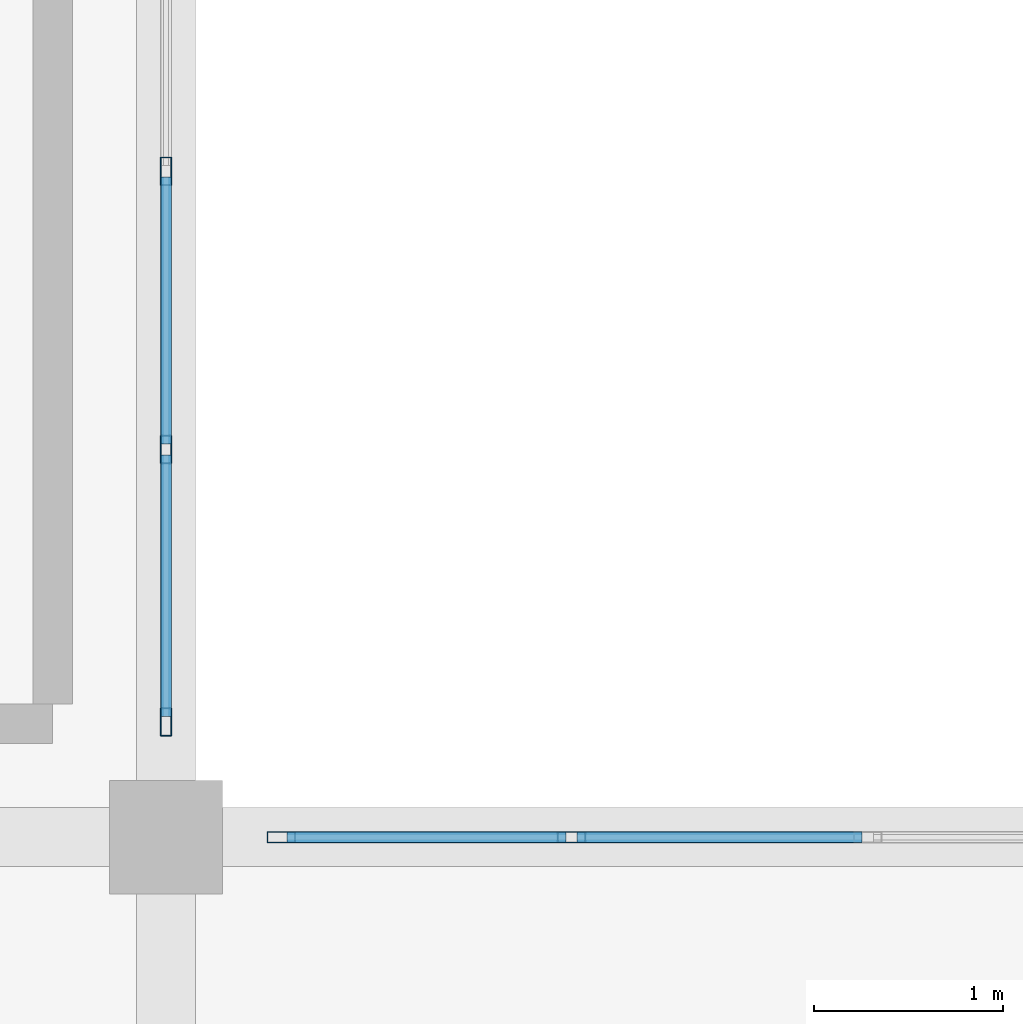
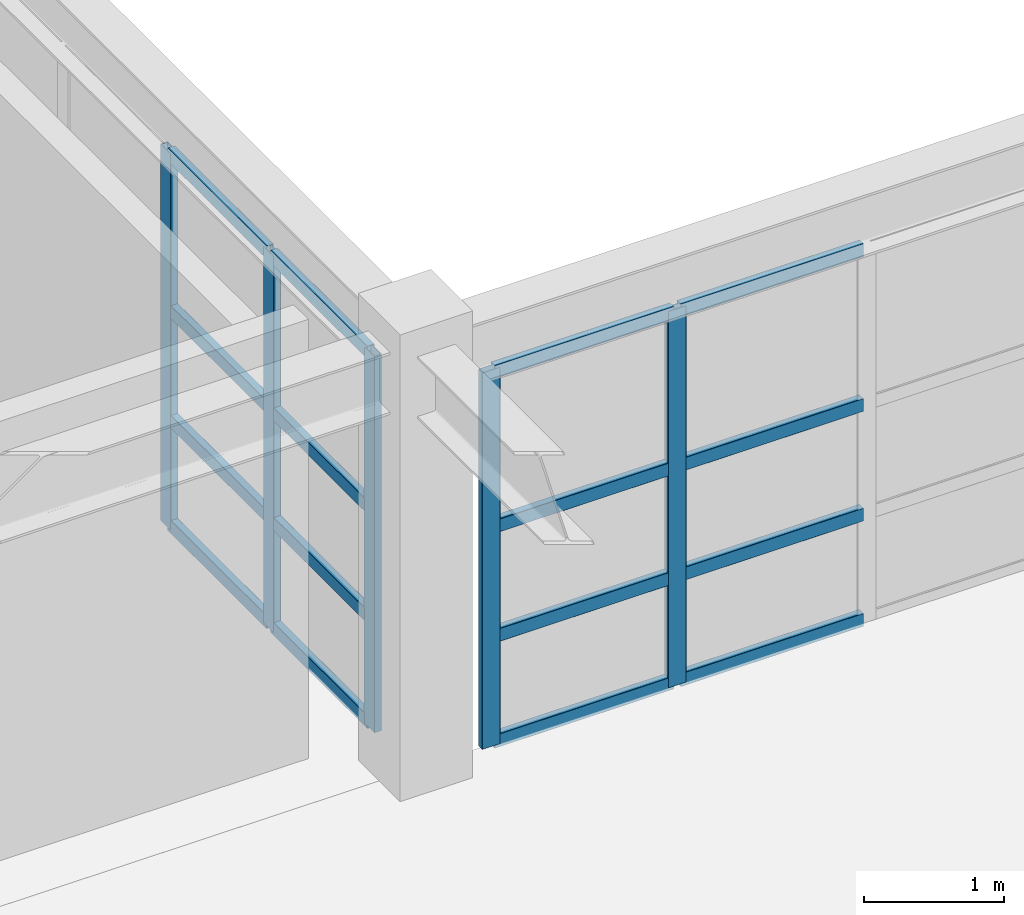
# One storey, part 51 of 110: 21 members, 2 elements without a shape of their own.
"""IFC4 building model written with IfcOpenShell, lengths in metres."""

from ifc_helpers import new_model, si_unit, direction, frame, origin, origin_2d, place, context, subcontext, project, spatial, hollow_rectangle, extrude, material, material_profile, profile_set, type_object, element, aggregate, save


model = new_model("IFC4")

# Units and contexts
model_context = context("Model", 3, precision=1e-05, world=origin(), true_north=direction((0.0, 1.0)))
body_context = subcontext(model_context, "Body", "Model", "MODEL_VIEW")
ifc_project = project(units=[si_unit("LENGTHUNIT", "METRE"), si_unit("AREAUNIT", "SQUARE_METRE"), si_unit("VOLUMEUNIT", "CUBIC_METRE"), si_unit("PLANEANGLEUNIT", "RADIAN"), si_unit("MASSUNIT", "GRAM", prefix="KILO")], contexts=[model_context])

# Site, building, storey
site_placement = place(None, origin())
site = spatial("IfcSite", under=ifc_project, at=site_placement, CompositionType="ELEMENT")
building_placement = place(site_placement, origin())
building = spatial("IfcBuilding", under=site, at=building_placement, Name="Miravela Opera House", CompositionType="ELEMENT")
storey_placement = place(building_placement, frame((0.0, 0.0, 13.60009765625)))
storey = spatial("IfcBuildingStorey", under=building, at=storey_placement, Name="L03", CompositionType="ELEMENT", Elevation=13.60009765625)

# Curtain wall, members
ifc_material = material(Name="Anodised architectural bronze aluminium 6063-T6", Category="aluminium")
curtain_wall_type = type_object("IfcCurtainWallType", Name="ARC-CW-05", PredefinedType="NOTDEFINED", material=ifc_material)
curtain_wall_1_placement = place(storey_placement, origin())
curtain_wall_1 = element("IfcCurtainWall", 1, at=curtain_wall_1_placement, inside=storey, type_object=curtain_wall_type, Name="Courtyard Arcade Curtain Wall CW-L03-101", PredefinedType="NOTDEFINED")
ifc_material_profile_1 = material_profile(ifc_material, hollow_rectangle(XDim=0.06005859375, YDim=0.14990234375, WallThickness=0.00390625, InnerFilletRadius=0.001953125, OuterFilletRadius=0.00390625, at=origin_2d()), Name="CWM-60X150")
ifc_profile_set_1 = profile_set([ifc_material_profile_1])
member_type_1 = type_object("IfcMemberType", Name="ARC-CWM-150", PredefinedType="MULLION", material=ifc_profile_set_1)
member_1_placement = place(storey_placement, frame((27.610107421875, 84.0, 0.0), z_axis=(0.0, 0.0, 1.0), x_axis=(0.0, 1.0, 0.0)))
member_1 = element("IfcMember", 2, at=member_1_placement, type_object=member_type_1, Name="CW-05 mullion 1", PredefinedType="MULLION", context=body_context, shape_type="SweptSolid", body=[
    extrude(hollow_rectangle(XDim=0.06005859375, YDim=0.14990234375, WallThickness=0.00390625, InnerFilletRadius=0.001953125, OuterFilletRadius=0.00390625, at=origin_2d()), origin(), (0.0, 0.0, 1.0), 3.289794921875),
])
member_2_placement = place(storey_placement, frame((29.14794921875, 84.0, 0.0), z_axis=(0.0, 0.0, 1.0), x_axis=(0.0, 1.0, 0.0)))
member_2 = element("IfcMember", 3, at=member_2_placement, type_object=member_type_1, Name="CW-05 mullion 2", PredefinedType="MULLION", context=body_context, shape_type="SweptSolid", body=[
    extrude(hollow_rectangle(XDim=0.06005859375, YDim=0.14990234375, WallThickness=0.00390625, InnerFilletRadius=0.001953125, OuterFilletRadius=0.00390625, at=origin_2d()), origin(), (0.0, 0.0, 1.0), 3.289794921875),
])

curtain_wall_2_placement = place(storey_placement, origin())
curtain_wall_2 = element("IfcCurtainWall", 4, at=curtain_wall_2_placement, inside=storey, type_object=curtain_wall_type, Name="Courtyard Arcade Curtain Wall CW-L03-109", PredefinedType="NOTDEFINED")
member_3_placement = place(storey_placement, frame((27.0, 84.610107421875, 0.0), z_axis=(0.0, 0.0, 1.0), x_axis=(-1.0, 0.0, 0.0)))
member_3 = element("IfcMember", 5, at=member_3_placement, type_object=member_type_1, Name="CW-05 mullion 1", PredefinedType="MULLION", context=body_context, shape_type="SweptSolid", body=[
    extrude(hollow_rectangle(XDim=0.06005859375, YDim=0.14990234375, WallThickness=0.00390625, InnerFilletRadius=0.001953125, OuterFilletRadius=0.00390625, at=origin_2d()), origin(), (0.0, 0.0, 1.0), 3.289794921875),
])
member_4_placement = place(storey_placement, frame((27.0, 86.05322265625, 0.0), z_axis=(0.0, 0.0, 1.0), x_axis=(-1.0, 0.0, 0.0)))
member_4 = element("IfcMember", 6, at=member_4_placement, type_object=member_type_1, Name="CW-05 mullion 2", PredefinedType="MULLION", context=body_context, shape_type="SweptSolid", body=[
    extrude(hollow_rectangle(XDim=0.06005859375, YDim=0.14990234375, WallThickness=0.00390625, InnerFilletRadius=0.001953125, OuterFilletRadius=0.00390625, at=origin_2d()), origin(), (0.0, 0.0, 1.0), 3.289794921875),
])
member_5_placement = place(storey_placement, frame((27.0, 87.526611328125, 0.0), z_axis=(0.0, 0.0, 1.0), x_axis=(-1.0, 0.0, 0.0)))
member_5 = element("IfcMember", 7, at=member_5_placement, type_object=member_type_1, Name="CW-05 mullion 3", PredefinedType="MULLION", context=body_context, shape_type="SweptSolid", body=[
    extrude(hollow_rectangle(XDim=0.06005859375, YDim=0.14990234375, WallThickness=0.00390625, InnerFilletRadius=0.001953125, OuterFilletRadius=0.00390625, at=origin_2d()), origin(), (0.0, 0.0, 1.0), 3.289794921875),
])

# Member
ifc_material_profile_2 = material_profile(ifc_material, hollow_rectangle(XDim=0.06005859375, YDim=0.114990234375, WallThickness=0.00390625, InnerFilletRadius=0.001953125, OuterFilletRadius=0.00390625, at=origin_2d()), Name="CWT-60X115")
ifc_profile_set_2 = profile_set([ifc_material_profile_2])
member_type_2 = type_object("IfcMemberType", Name="ARC-CWT-115", PredefinedType="USERDEFINED", material=ifc_profile_set_2)
member_6_placement = place(storey_placement, frame((27.639892578125, 84.0, 0.02978515625), z_axis=(1.0, 0.0, 0.0), x_axis=(0.0, 1.0, 0.0)))
member_6 = element("IfcMember", 8, at=member_6_placement, type_object=member_type_2, Name="CW-05 transom 1.1", ObjectType="TRANSOM", PredefinedType="USERDEFINED", context=body_context, shape_type="SweptSolid", body=[
    extrude(hollow_rectangle(XDim=0.06005859375, YDim=0.114990234375, WallThickness=0.00390625, InnerFilletRadius=0.001953125, OuterFilletRadius=0.00390625, at=origin_2d()), origin(), (0.0, 0.0, 1.0), 1.47802734375),
])

member_7_placement = place(storey_placement, frame((27.639892578125, 84.0, 0.949951171875), z_axis=(1.0, 0.0, 0.0), x_axis=(0.0, 1.0, 0.0)))
member_7 = element("IfcMember", 9, at=member_7_placement, type_object=member_type_2, Name="CW-05 transom 1.2", ObjectType="TRANSOM", PredefinedType="USERDEFINED", context=body_context, shape_type="SweptSolid", body=[
    extrude(hollow_rectangle(XDim=0.06005859375, YDim=0.114990234375, WallThickness=0.00390625, InnerFilletRadius=0.001953125, OuterFilletRadius=0.00390625, at=origin_2d()), origin(), (0.0, 0.0, 1.0), 1.47802734375),
])

member_8_placement = place(storey_placement, frame((27.639892578125, 84.0, 1.908203125), z_axis=(1.0, 0.0, 0.0), x_axis=(0.0, 1.0, 0.0)))
member_8 = element("IfcMember", 10, at=member_8_placement, type_object=member_type_2, Name="CW-05 transom 1.3", ObjectType="TRANSOM", PredefinedType="USERDEFINED", context=body_context, shape_type="SweptSolid", body=[
    extrude(hollow_rectangle(XDim=0.06005859375, YDim=0.114990234375, WallThickness=0.00390625, InnerFilletRadius=0.001953125, OuterFilletRadius=0.00390625, at=origin_2d()), origin(), (0.0, 0.0, 1.0), 1.47802734375),
])

member_9_placement = place(storey_placement, frame((27.639892578125, 84.0, 3.260009765625), z_axis=(1.0, 0.0, 0.0), x_axis=(0.0, 1.0, 0.0)))
member_9 = element("IfcMember", 11, at=member_9_placement, type_object=member_type_2, Name="CW-05 transom 1.4", ObjectType="TRANSOM", PredefinedType="USERDEFINED", context=body_context, shape_type="SweptSolid", body=[
    extrude(hollow_rectangle(XDim=0.06005859375, YDim=0.114990234375, WallThickness=0.00390625, InnerFilletRadius=0.001953125, OuterFilletRadius=0.00390625, at=origin_2d()), origin(), (0.0, 0.0, 1.0), 1.47802734375),
])

member_10_placement = place(storey_placement, frame((29.177978515625, 84.0, 0.02978515625), z_axis=(1.0, 0.0, 0.0), x_axis=(0.0, 1.0, 0.0)))
member_10 = element("IfcMember", 12, at=member_10_placement, type_object=member_type_2, Name="CW-05 transom 2.1", ObjectType="TRANSOM", PredefinedType="USERDEFINED", context=body_context, shape_type="SweptSolid", body=[
    extrude(hollow_rectangle(XDim=0.06005859375, YDim=0.114990234375, WallThickness=0.00390625, InnerFilletRadius=0.001953125, OuterFilletRadius=0.00390625, at=origin_2d()), origin(), (0.0, 0.0, 1.0), 1.508056640625),
])

member_11_placement = place(storey_placement, frame((29.177978515625, 84.0, 0.949951171875), z_axis=(1.0, 0.0, 0.0), x_axis=(0.0, 1.0, 0.0)))
member_11 = element("IfcMember", 13, at=member_11_placement, type_object=member_type_2, Name="CW-05 transom 2.2", ObjectType="TRANSOM", PredefinedType="USERDEFINED", context=body_context, shape_type="SweptSolid", body=[
    extrude(hollow_rectangle(XDim=0.06005859375, YDim=0.114990234375, WallThickness=0.00390625, InnerFilletRadius=0.001953125, OuterFilletRadius=0.00390625, at=origin_2d()), origin(), (0.0, 0.0, 1.0), 1.508056640625),
])

member_12_placement = place(storey_placement, frame((29.177978515625, 84.0, 1.908203125), z_axis=(1.0, 0.0, 0.0), x_axis=(0.0, 1.0, 0.0)))
member_12 = element("IfcMember", 14, at=member_12_placement, type_object=member_type_2, Name="CW-05 transom 2.3", ObjectType="TRANSOM", PredefinedType="USERDEFINED", context=body_context, shape_type="SweptSolid", body=[
    extrude(hollow_rectangle(XDim=0.06005859375, YDim=0.114990234375, WallThickness=0.00390625, InnerFilletRadius=0.001953125, OuterFilletRadius=0.00390625, at=origin_2d()), origin(), (0.0, 0.0, 1.0), 1.508056640625),
])

member_13_placement = place(storey_placement, frame((29.177978515625, 84.0, 3.260009765625), z_axis=(1.0, 0.0, 0.0), x_axis=(0.0, 1.0, 0.0)))
member_13 = element("IfcMember", 15, at=member_13_placement, type_object=member_type_2, Name="CW-05 transom 2.4", ObjectType="TRANSOM", PredefinedType="USERDEFINED", context=body_context, shape_type="SweptSolid", body=[
    extrude(hollow_rectangle(XDim=0.06005859375, YDim=0.114990234375, WallThickness=0.00390625, InnerFilletRadius=0.001953125, OuterFilletRadius=0.00390625, at=origin_2d()), origin(), (0.0, 0.0, 1.0), 1.508056640625),
])

aggregate(curtain_wall_1, [member_1, member_2, member_6, member_7, member_8, member_9, member_10, member_11, member_12, member_13])

member_14_placement = place(storey_placement, frame((27.0, 84.639892578125, 0.02978515625), z_axis=(0.0, 1.0, 0.0), x_axis=(-1.0, 0.0, 0.0)))
member_14 = element("IfcMember", 16, at=member_14_placement, type_object=member_type_2, Name="CW-05 transom 1.1", ObjectType="TRANSOM", PredefinedType="USERDEFINED", context=body_context, shape_type="SweptSolid", body=[
    extrude(hollow_rectangle(XDim=0.06005859375, YDim=0.114990234375, WallThickness=0.00390625, InnerFilletRadius=0.001953125, OuterFilletRadius=0.00390625, at=origin_2d()), origin(), (0.0, 0.0, 1.0), 1.383544921875),
])

member_15_placement = place(storey_placement, frame((27.0, 84.639892578125, 0.949951171875), z_axis=(0.0, 1.0, 0.0), x_axis=(-1.0, 0.0, 0.0)))
member_15 = element("IfcMember", 17, at=member_15_placement, type_object=member_type_2, Name="CW-05 transom 1.2", ObjectType="TRANSOM", PredefinedType="USERDEFINED", context=body_context, shape_type="SweptSolid", body=[
    extrude(hollow_rectangle(XDim=0.06005859375, YDim=0.114990234375, WallThickness=0.00390625, InnerFilletRadius=0.001953125, OuterFilletRadius=0.00390625, at=origin_2d()), origin(), (0.0, 0.0, 1.0), 1.383544921875),
])

member_16_placement = place(storey_placement, frame((27.0, 84.639892578125, 1.908203125), z_axis=(0.0, 1.0, 0.0), x_axis=(-1.0, 0.0, 0.0)))
member_16 = element("IfcMember", 18, at=member_16_placement, type_object=member_type_2, Name="CW-05 transom 1.3", ObjectType="TRANSOM", PredefinedType="USERDEFINED", context=body_context, shape_type="SweptSolid", body=[
    extrude(hollow_rectangle(XDim=0.06005859375, YDim=0.114990234375, WallThickness=0.00390625, InnerFilletRadius=0.001953125, OuterFilletRadius=0.00390625, at=origin_2d()), origin(), (0.0, 0.0, 1.0), 1.383544921875),
])

member_17_placement = place(storey_placement, frame((27.0, 84.639892578125, 3.260009765625), z_axis=(0.0, 1.0, 0.0), x_axis=(-1.0, 0.0, 0.0)))
member_17 = element("IfcMember", 19, at=member_17_placement, type_object=member_type_2, Name="CW-05 transom 1.4", ObjectType="TRANSOM", PredefinedType="USERDEFINED", context=body_context, shape_type="SweptSolid", body=[
    extrude(hollow_rectangle(XDim=0.06005859375, YDim=0.114990234375, WallThickness=0.00390625, InnerFilletRadius=0.001953125, OuterFilletRadius=0.00390625, at=origin_2d()), origin(), (0.0, 0.0, 1.0), 1.383544921875),
])

member_18_placement = place(storey_placement, frame((27.0, 86.083251953125, 0.02978515625), z_axis=(0.0, 1.0, 0.0), x_axis=(-1.0, 0.0, 0.0)))
member_18 = element("IfcMember", 20, at=member_18_placement, type_object=member_type_2, Name="CW-05 transom 2.1", ObjectType="TRANSOM", PredefinedType="USERDEFINED", context=body_context, shape_type="SweptSolid", body=[
    extrude(hollow_rectangle(XDim=0.06005859375, YDim=0.114990234375, WallThickness=0.00390625, InnerFilletRadius=0.001953125, OuterFilletRadius=0.00390625, at=origin_2d()), origin(), (0.0, 0.0, 1.0), 1.413330078125),
])

member_19_placement = place(storey_placement, frame((27.0, 86.083251953125, 0.949951171875), z_axis=(0.0, 1.0, 0.0), x_axis=(-1.0, 0.0, 0.0)))
member_19 = element("IfcMember", 21, at=member_19_placement, type_object=member_type_2, Name="CW-05 transom 2.2", ObjectType="TRANSOM", PredefinedType="USERDEFINED", context=body_context, shape_type="SweptSolid", body=[
    extrude(hollow_rectangle(XDim=0.06005859375, YDim=0.114990234375, WallThickness=0.00390625, InnerFilletRadius=0.001953125, OuterFilletRadius=0.00390625, at=origin_2d()), origin(), (0.0, 0.0, 1.0), 1.413330078125),
])

member_20_placement = place(storey_placement, frame((27.0, 86.083251953125, 1.908203125), z_axis=(0.0, 1.0, 0.0), x_axis=(-1.0, 0.0, 0.0)))
member_20 = element("IfcMember", 22, at=member_20_placement, type_object=member_type_2, Name="CW-05 transom 2.3", ObjectType="TRANSOM", PredefinedType="USERDEFINED", context=body_context, shape_type="SweptSolid", body=[
    extrude(hollow_rectangle(XDim=0.06005859375, YDim=0.114990234375, WallThickness=0.00390625, InnerFilletRadius=0.001953125, OuterFilletRadius=0.00390625, at=origin_2d()), origin(), (0.0, 0.0, 1.0), 1.413330078125),
])

member_21_placement = place(storey_placement, frame((27.0, 86.083251953125, 3.260009765625), z_axis=(0.0, 1.0, 0.0), x_axis=(-1.0, 0.0, 0.0)))
member_21 = element("IfcMember", 23, at=member_21_placement, type_object=member_type_2, Name="CW-05 transom 2.4", ObjectType="TRANSOM", PredefinedType="USERDEFINED", context=body_context, shape_type="SweptSolid", body=[
    extrude(hollow_rectangle(XDim=0.06005859375, YDim=0.114990234375, WallThickness=0.00390625, InnerFilletRadius=0.001953125, OuterFilletRadius=0.00390625, at=origin_2d()), origin(), (0.0, 0.0, 1.0), 1.413330078125),
])

aggregate(curtain_wall_2, [member_3, member_4, member_5, member_14, member_15, member_16, member_17, member_18, member_19, member_20, member_21])

save(model, "model.ifc")
